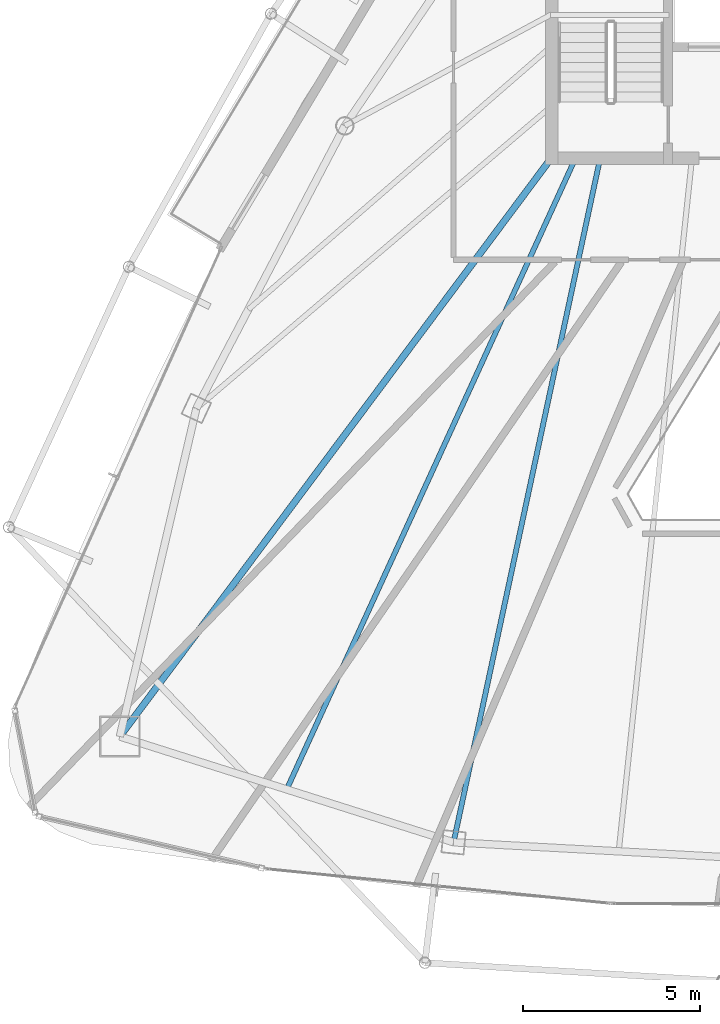
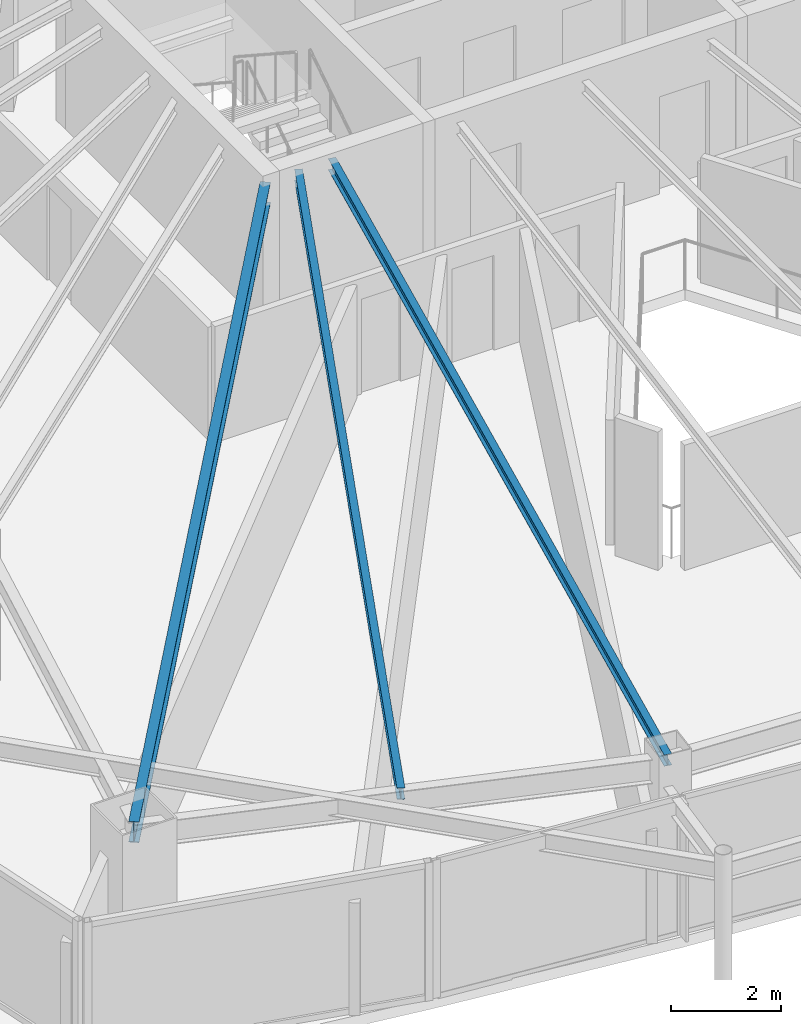
# One storey, part 6 of 28: 3 beams.
"""IFC4 building model written with IfcOpenShell, lengths in metres."""

from ifc_helpers import new_model, si_unit, direction, frame, origin, origin_2d, place, context, subcontext, project, spatial, i_section, extrude, material, material_profile, profile_set, type_object, element, save


model = new_model("IFC4")

# Units and contexts
model_context = context("Model", 3, precision=1e-05, world=origin(), true_north=direction((0.0, 1.0)))
body_context = subcontext(model_context, "Body", "Model", "MODEL_VIEW")
ifc_project = project(units=[si_unit("LENGTHUNIT", "METRE"), si_unit("AREAUNIT", "SQUARE_METRE"), si_unit("VOLUMEUNIT", "CUBIC_METRE"), si_unit("PLANEANGLEUNIT", "RADIAN"), si_unit("MASSUNIT", "GRAM", prefix="KILO")], contexts=[model_context])

# Site, building, storey
site_placement = place(None, origin())
site = spatial("IfcSite", under=ifc_project, at=site_placement, CompositionType="ELEMENT")
building_placement = place(site_placement, origin())
building = spatial("IfcBuilding", under=site, at=building_placement, Name="Orvanel Arch Residences", CompositionType="ELEMENT")
storey_placement = place(building_placement, frame((0.0, 0.0, 263.449951171875)))
storey = spatial("IfcBuildingStorey", under=building, at=storey_placement, Name="L75", CompositionType="ELEMENT", Elevation=263.449951171875)

# Beams
ifc_material = material(Name="Structural steel AS/NZS 3679.1 Grade 300 (300 MPa)", Category="steel")
ifc_material_profile_1 = material_profile(ifc_material, i_section(OverallWidth=0.19091796875, OverallDepth=0.4599609375, WebThickness=0.010009765625, FlangeThickness=0.01611328125, at=origin_2d()), Name="460UB82.1")
ifc_profile_set_1 = profile_set([ifc_material_profile_1], Name="Structural steel AS/NZS 3679.1 Grade 300 (300 MPa)")
beam_type_1 = type_object("IfcBeamType", Name="BG-460UB", PredefinedType="BEAM", material=ifc_profile_set_1)
beam_1_placement = place(storey_placement, frame((26.375, 26.675048828125, 2.830078125), z_axis=(-0.597893733742, -0.801575375839, 0.0), x_axis=(0.801575375839, -0.597893733742, 0.0)))
element("IfcBeam", 1, at=beam_1_placement, inside=storey, type_object=beam_type_1, Name="L75 South-West Radial Girder", PredefinedType="BEAM", context=body_context, shape_type="SweptSolid", body=[
    extrude(i_section(OverallWidth=0.19091796875, OverallDepth=0.4599609375, WebThickness=0.010009765625, FlangeThickness=0.01611328125, at=origin_2d()), origin(), (0.0, 0.0, 1.0), 20.36474609375),
])
ifc_material_profile_2 = material_profile(ifc_material, i_section(OverallWidth=0.14599609375, OverallDepth=0.251953125, WebThickness=0.006103515625, FlangeThickness=0.008544921875, at=origin_2d()), Name="250UB31.4")
ifc_profile_set_2 = profile_set([ifc_material_profile_2], Name="Structural steel AS/NZS 3679.1 Grade 300 (300 MPa)")
beam_type_2 = type_object("IfcBeamType", Name="BJ-250UB", PredefinedType="JOIST", material=ifc_profile_set_2)
beam_2_placement = place(storey_placement, frame((27.800048828125, 26.72509765625, 2.93408203125), z_axis=(-0.209547604985, -0.977798446125, 0.0), x_axis=(0.977798446125, -0.209547604985, 0.0)))
element("IfcBeam", 2, at=beam_2_placement, inside=storey, type_object=beam_type_2, Name="L75 SW Wing Floor Joist", PredefinedType="JOIST", context=body_context, shape_type="SweptSolid", body=[
    extrude(i_section(OverallWidth=0.14599609375, OverallDepth=0.251953125, WebThickness=0.006103515625, FlangeThickness=0.008544921875, at=origin_2d()), origin(), (0.0, 0.0, 1.0), 19.809814453125),
])
beam_3_placement = place(storey_placement, frame((27.10009765625, 26.72509765625, 2.93408203125), z_axis=(-0.416009574066, -0.909360233508, 0.0), x_axis=(0.909360233508, -0.416009574066, 0.0)))
element("IfcBeam", 3, at=beam_3_placement, inside=storey, type_object=beam_type_2, Name="L75 JADD1 Wing Floor Joist", PredefinedType="JOIST", context=body_context, shape_type="SweptSolid", body=[
    extrude(i_section(OverallWidth=0.14599609375, OverallDepth=0.251953125, WebThickness=0.006103515625, FlangeThickness=0.008544921875, at=origin_2d()), origin(), (0.0, 0.0, 1.0), 19.653564453125),
])

save(model, "model.ifc")
